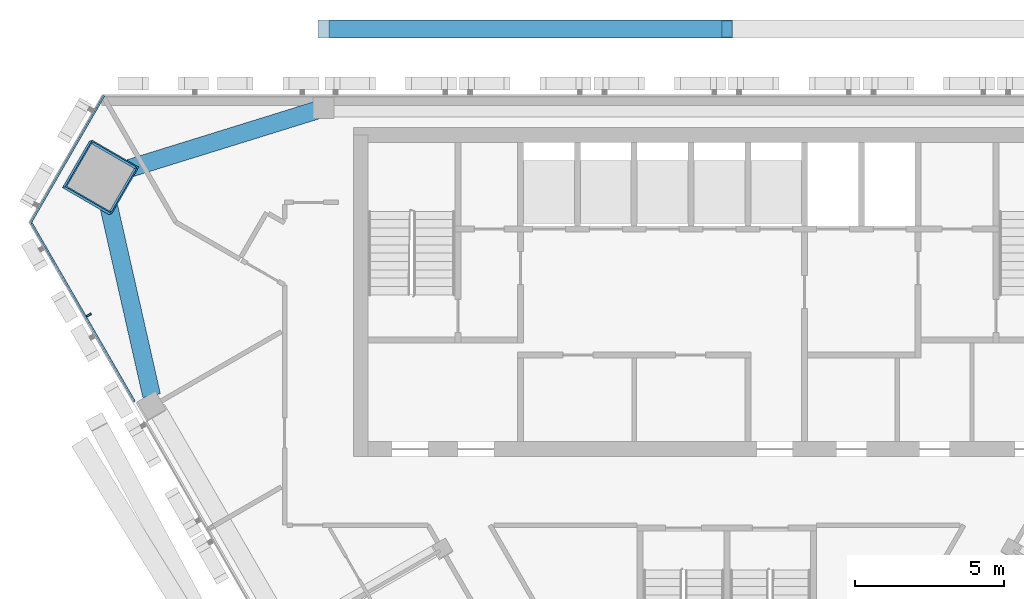
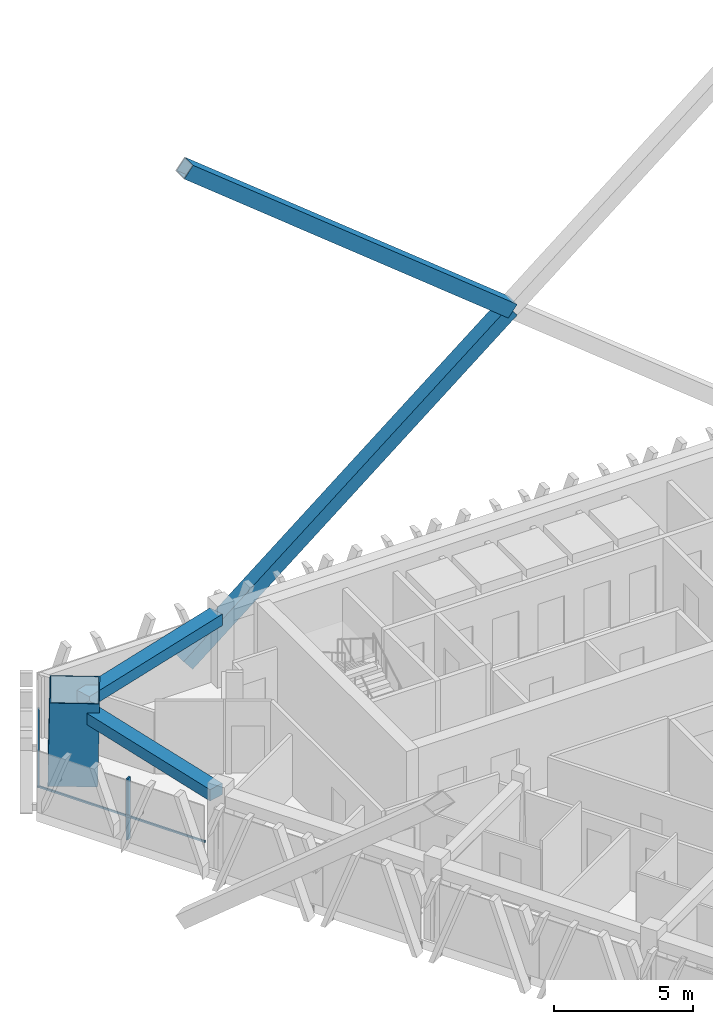
# One storey, part 5 of 14: 6 members, 2 beams, 2 elements without a shape of their own.
"""IFC4 building model written with IfcOpenShell, lengths in metres."""

from ifc_helpers import new_model, si_unit, direction, frame, origin, origin_2d, place, context, subcontext, project, spatial, rectangle, hollow_rectangle, extrude, material, layer, layer_set, material_profile, profile_set, type_object, element, aggregate, save


model = new_model("IFC4")

# Units and contexts
model_context = context("Model", 3, precision=1e-05, world=origin(), true_north=direction((0.0, 1.0)))
body_context = subcontext(model_context, "Body", "Model", "MODEL_VIEW")
ifc_project = project(units=[si_unit("LENGTHUNIT", "METRE"), si_unit("AREAUNIT", "SQUARE_METRE"), si_unit("VOLUMEUNIT", "CUBIC_METRE"), si_unit("PLANEANGLEUNIT", "RADIAN"), si_unit("MASSUNIT", "GRAM", prefix="KILO")], contexts=[model_context])

# Site, building, storey
site_placement = place(None, origin())
site = spatial("IfcSite", under=ifc_project, at=site_placement, CompositionType="ELEMENT")
building_placement = place(site_placement, origin())
building = spatial("IfcBuilding", under=site, at=building_placement, Name="Altiplano Prism Tower", CompositionType="ELEMENT")
storey_placement = place(building_placement, frame((0.0, 0.0, 264.39990234375)))
storey = spatial("IfcBuildingStorey", under=building, at=storey_placement, Name="L68", CompositionType="ELEMENT", Elevation=264.39990234375)

# Curtain wall, member
ifc_material_1 = material(Name="Aluminium and glass", Category="aluminium")
ifc_layer = layer(ifc_material_1, 0.280029296875)
ifc_layer_set = layer_set([ifc_layer], Name="Aluminium and glass")
curtain_wall_type = type_object("IfcCurtainWallType", Name="CW1 typical co-living unitised curtain wall", PredefinedType="NOTDEFINED", material=ifc_layer_set)
curtain_wall_1_placement = place(storey_placement, origin())
curtain_wall_1 = element("IfcCurtainWall", 1, at=curtain_wall_1_placement, inside=storey, type_object=curtain_wall_type, Name="CW1 curtain wall south-west face L68", PredefinedType="NOTDEFINED")
ifc_material_2 = material(Name="Aluminium", Category="aluminium")
ifc_material_profile_1 = material_profile(ifc_material_2, rectangle(XDim=0.179931640625, YDim=0.06494140625, at=origin_2d()), Name="CW1 mullion 65 x 180")
ifc_profile_set_1 = profile_set([ifc_material_profile_1], Name="Aluminium")
member_type_1 = type_object("IfcMemberType", Name="CW1 mullion 65 x 180", PredefinedType="MULLION", material=ifc_profile_set_1)
member_1_placement = place(storey_placement, frame((63.653076171875, 97.62646484375, 0.0), z_axis=(0.0, 0.0, 1.0), x_axis=(0.866025409343, 0.499999990372, 0.0)))
member_1 = element("IfcMember", 2, at=member_1_placement, type_object=member_type_1, Name="CW1 mullion", PredefinedType="MULLION", context=body_context, shape_type="SweptSolid", body=[
    extrude(rectangle(XDim=0.179931640625, YDim=0.06494140625, at=origin_2d()), origin(), (0.0, 0.0, 1.0), 2.7001953125),
])

curtain_wall_2_placement = place(storey_placement, origin())
curtain_wall_2 = element("IfcCurtainWall", 3, at=curtain_wall_2_placement, inside=storey, type_object=curtain_wall_type, Name="CW1 curtain wall north-west chamfer L68", PredefinedType="NOTDEFINED")
ifc_material_profile_2 = material_profile(ifc_material_2, rectangle(XDim=0.06005859375, YDim=0.080078125, at=origin_2d()), Name="CW1 transom 80 x 60")
ifc_profile_set_2 = profile_set([ifc_material_profile_2], Name="Aluminium")
member_type_2 = type_object("IfcMemberType", Name="CW1 transom 80 x 60", PredefinedType="USERDEFINED", material=ifc_profile_set_2)
member_2_placement = place(storey_placement, frame((64.16162109375, 104.965087890625, 1.10009765625), z_axis=(-0.499994255055, -0.866028720605, 0.0), x_axis=(0.866028720605, -0.499994255055, 0.0)))
member_2 = element("IfcMember", 4, at=member_2_placement, type_object=member_type_2, Name="CW1 transom", ObjectType="TRANSOM", PredefinedType="USERDEFINED", context=body_context, shape_type="SweptSolid", body=[
    extrude(rectangle(XDim=0.06005859375, YDim=0.080078125, at=origin_2d()), origin(), (0.0, 0.0, 1.0), 4.92431640625),
])
aggregate(curtain_wall_2, [member_2])

# Member
member_3_placement = place(storey_placement, frame((61.699462890625, 100.7705078125, 1.10009765625), z_axis=(0.499978175358, -0.86603800388, 0.0), x_axis=(0.86603800388, 0.499978175358, 0.0)))
member_3 = element("IfcMember", 5, at=member_3_placement, type_object=member_type_2, Name="CW1 transom", ObjectType="TRANSOM", PredefinedType="USERDEFINED", context=body_context, shape_type="SweptSolid", body=[
    extrude(rectangle(XDim=0.06005859375, YDim=0.080078125, at=origin_2d()), origin(), (0.0, 0.0, 1.0), 6.969482421875),
])

aggregate(curtain_wall_1, [member_1, member_3])

# Beams
ifc_material_3 = material(Name="Concrete C60/75", Category="concrete")
ifc_material_profile_3 = material_profile(ifc_material_3, rectangle(XDim=0.60009765625, YDim=0.5, at=origin_2d()), Name="Edge beam 600x500")
ifc_profile_set_3 = profile_set([ifc_material_profile_3], Name="Concrete C60/75")
beam_type = type_object("IfcBeamType", Name="Edge beam 600x500", PredefinedType="SPANDREL", material=ifc_profile_set_3)
for number, where, z_axis, x_axis, name in (
    (6, (71.2646484375, 104.476806640625, 2.9501953125), (-0.955004999113, -0.296589702569, 0.0), (0.296589702569, -0.955004999113, 0.0), "Edge beam P04-M0 L69"),
    (7, (64.197265625, 101.812255859375, 2.9501953125), (0.22062626207, -0.975358422574, 0.0), (0.975358422574, 0.22062626207, 0.0), "Edge beam M0-P11 L69"),
):
    element("IfcBeam", number, at=place(storey_placement, frame(where, z_axis=z_axis, x_axis=x_axis)), inside=storey, type_object=beam_type, Name=name, PredefinedType="SPANDREL", context=body_context, shape_type="SweptSolid", body=[
        extrude(rectangle(XDim=0.60009765625, YDim=0.5, at=origin_2d()), origin(), (0.0, 0.0, 1.0), 7.054443359375),
    ])

# Members
ifc_material_4 = material(Name="Steel S355", Category="steel")
ifc_material_profile_4 = material_profile(ifc_material_4, hollow_rectangle(XDim=0.60009765625, YDim=0.60009765625, WallThickness=0.030029296875, at=origin_2d()), Name="Mega brace Box 600x600x30")
ifc_profile_set_4 = profile_set([ifc_material_profile_4], Name="Steel S355")
member_type_3 = type_object("IfcMemberType", Name="Mega brace Box 600x600x30", PredefinedType="BRACE", material=ifc_profile_set_4)
member_4_placement = place(storey_placement, frame((85.0, 107.199951171875, 10.10009765625), z_axis=(-0.779454758843, 0.0, 0.626458521306), x_axis=(0.0, -1.0, 0.0)))
element("IfcMember", 8, at=member_4_placement, inside=storey, type_object=member_type_3, Name="Mega brace 7.0.2", PredefinedType="BRACE", context=body_context, shape_type="SweptSolid", body=[
    extrude(hollow_rectangle(XDim=0.60009765625, YDim=0.60009765625, WallThickness=0.030029296875, at=origin_2d()), origin(), (0.0, 0.0, 1.0), 17.289794921875),
])
member_5_placement = place(storey_placement, frame((71.5, 107.199951171875, -0.75), z_axis=(0.779455836189, 0.0, 0.626457180844), x_axis=(0.0, 1.0, 0.0)))
element("IfcMember", 9, at=member_5_placement, inside=storey, type_object=member_type_3, Name="Mega brace 7.0.3", PredefinedType="BRACE", context=body_context, shape_type="SweptSolid", body=[
    extrude(hollow_rectangle(XDim=0.60009765625, YDim=0.60009765625, WallThickness=0.030029296875, at=origin_2d()), origin(), (0.0, 0.0, 1.0), 17.31982421875),
])
ifc_material_5 = material(Name="Steel S460", Category="steel")
ifc_material_profile_5 = material_profile(ifc_material_5, hollow_rectangle(XDim=1.800048828125, YDim=1.800048828125, WallThickness=0.0400390625, at=origin_2d()), Name="Mega column tube 1800")
ifc_profile_set_5 = profile_set([ifc_material_profile_5], Name="Steel S460")
member_type_4 = type_object("IfcMemberType", Name="Mega column tube 1800", PredefinedType="POST", material=ifc_profile_set_5)
member_6_placement = place(storey_placement, frame((63.99560546875, 102.2177734375, 0.0), z_axis=(0.028401814599, 0.009218727412, 0.999554076572), x_axis=(-0.865120184501, 0.501167311781, 0.019959758776)))
element("IfcMember", 10, at=member_6_placement, inside=storey, type_object=member_type_4, Name="Mega column tube M0 L68", PredefinedType="POST", context=body_context, shape_type="SweptSolid", body=[
    extrude(hollow_rectangle(XDim=1.800048828125, YDim=1.800048828125, WallThickness=0.0400390625, at=origin_2d()), origin(), (0.0, 0.0, 1.0), 3.601806640625),
])

save(model, "model.ifc")
